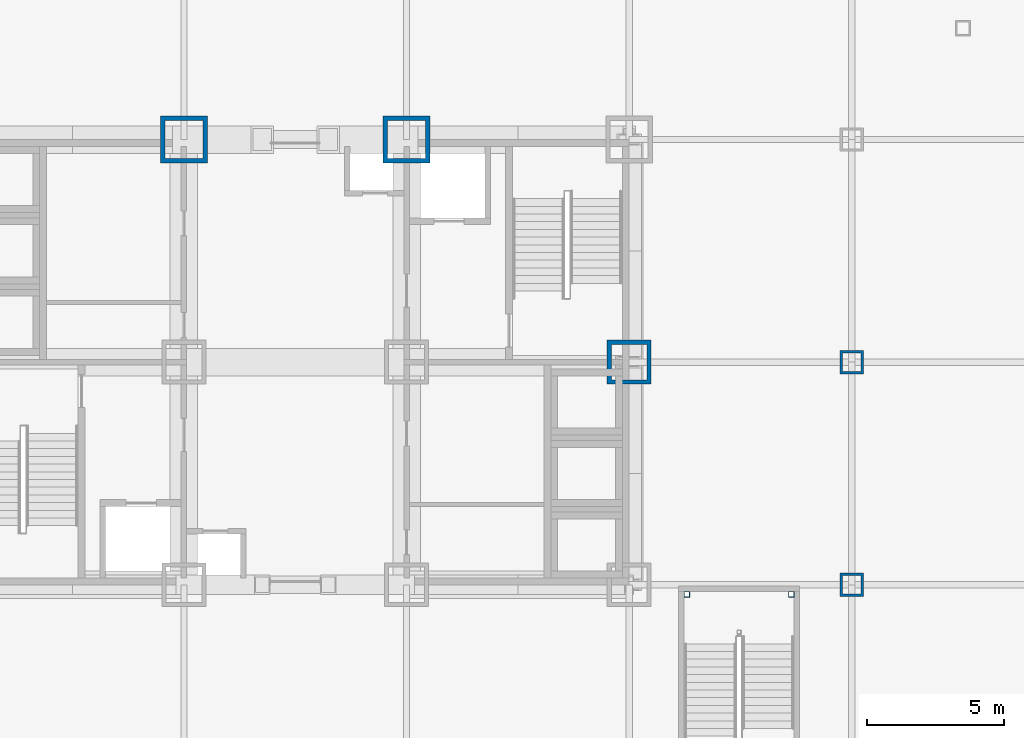
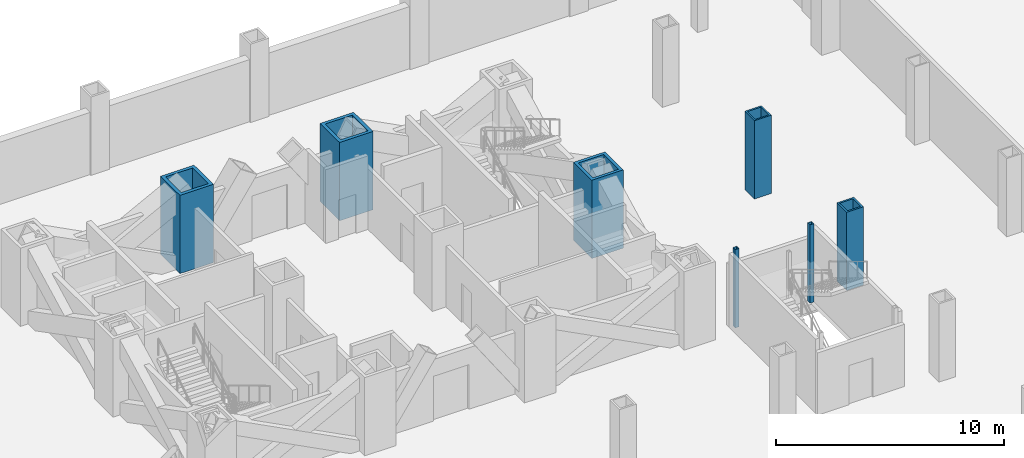
# One storey, part 7 of 14: 7 columns.
"""IFC4 building model written with IfcOpenShell, lengths in metres."""

from ifc_helpers import new_model, si_unit, direction, frame, origin, origin_2d, place, context, subcontext, project, spatial, hollow_rectangle, extrude, material, material_profile, profile_set, type_object, element, save


model = new_model("IFC4")

# Units and contexts
model_context = context("Model", 3, precision=1e-05, world=origin(), true_north=direction((0.0, 1.0)))
body_context = subcontext(model_context, "Body", "Model", "MODEL_VIEW")
ifc_project = project(units=[si_unit("LENGTHUNIT", "METRE"), si_unit("AREAUNIT", "SQUARE_METRE"), si_unit("VOLUMEUNIT", "CUBIC_METRE"), si_unit("PLANEANGLEUNIT", "RADIAN"), si_unit("MASSUNIT", "GRAM", prefix="KILO")], contexts=[model_context])

# Site, building, storey
site_placement = place(None, origin())
site = spatial("IfcSite", under=ifc_project, at=site_placement, CompositionType="ELEMENT")
building_placement = place(site_placement, origin())
building = spatial("IfcBuilding", under=site, at=building_placement, Name="Kopane Lantern Tower", CompositionType="ELEMENT")
storey_placement = place(building_placement, frame((0.0, 0.0, -4.199951171875)))
storey = spatial("IfcBuildingStorey", under=building, at=storey_placement, Name="L-01", CompositionType="ELEMENT", Elevation=-4.199951171875)

# Columns
ifc_material_1 = material(Name="Steel S355JR", Category="steel")
ifc_material_profile_1 = material_profile(ifc_material_1, hollow_rectangle(XDim=1.60009765625, YDim=1.60009765625, WallThickness=0.14990234375, at=origin_2d()), Name="BOX 1600x1600x150")
ifc_profile_set_1 = profile_set([ifc_material_profile_1], Name="Steel S355JR")
column_type_1 = type_object("IfcColumnType", Name="COLUMN BOX 1600x1600x150", PredefinedType="COLUMN", material=ifc_profile_set_1)
column_placement = place(storey_placement, frame((40.5, 32.39990234375, 0.0), z_axis=(0.0, 0.0, 1.0), x_axis=(1.0, 0.0, 0.0)))
element("IfcColumn", 1, at=column_placement, inside=storey, type_object=column_type_1, Name="Column 7/F L-01", PredefinedType="COLUMN", context=body_context, shape_type="SweptSolid", body=[
    extrude(hollow_rectangle(XDim=1.60009765625, YDim=1.60009765625, WallThickness=0.14990234375, at=origin_2d()), origin(), (0.0, 0.0, 1.0), 4.199951171875),
])
ifc_material_2 = material(Name="Steel S355JR", Category="steel")
ifc_material_profile_2 = material_profile(ifc_material_2, hollow_rectangle(XDim=1.699951171875, YDim=1.699951171875, WallThickness=0.159912109375, at=origin_2d()), Name="BOX 1700x1700x160")
ifc_profile_set_2 = profile_set([ifc_material_profile_2], Name="Steel S355JR")
column_type_2 = type_object("IfcColumnType", Name="COLUMN BOX 1700x1700x160", PredefinedType="COLUMN", material=ifc_profile_set_2)
for number, where, z_axis, x_axis, name in (
    (2, (24.300048828125, 40.5, 0.0), (0.0, 0.0, 1.0), (1.0, 0.0, 0.0), "Column 5/G L-01"),
    (3, (32.39990234375, 40.5, 0.0), (0.0, 0.0, 1.0), (1.0, 0.0, 0.0), "Column 6/G L-01"),
):
    element("IfcColumn", number, at=place(storey_placement, frame(where, z_axis=z_axis, x_axis=x_axis)), inside=storey, type_object=column_type_2, Name=name, PredefinedType="COLUMN", context=body_context, shape_type="SweptSolid", body=[
        extrude(hollow_rectangle(XDim=1.699951171875, YDim=1.699951171875, WallThickness=0.159912109375, at=origin_2d()), origin(), (0.0, 0.0, 1.0), 4.199951171875),
    ])
ifc_material_3 = material(Name="Steel S355JR", Category="steel")
ifc_material_profile_3 = material_profile(ifc_material_3, hollow_rectangle(XDim=0.85009765625, YDim=0.85009765625, WallThickness=0.0849609375, at=origin_2d()), Name="BOX 850x850x85")
ifc_profile_set_3 = profile_set([ifc_material_profile_3], Name="Steel S355JR")
column_type_3 = type_object("IfcColumnType", Name="COLUMN BOX 850x850x85", PredefinedType="COLUMN", material=ifc_profile_set_3)
for number, where, z_axis, x_axis, name in (
    (4, (48.60009765625, 24.300048828125, 0.0), (0.0, 0.0, 1.0), (1.0, 0.0, 0.0), "Column 8/E L-01"),
    (5, (48.60009765625, 32.39990234375, 0.0), (0.0, 0.0, 1.0), (1.0, 0.0, 0.0), "Column 8/F L-01"),
):
    element("IfcColumn", number, at=place(storey_placement, frame(where, z_axis=z_axis, x_axis=x_axis)), inside=storey, type_object=column_type_3, Name=name, PredefinedType="COLUMN", context=body_context, shape_type="SweptSolid", body=[
        extrude(hollow_rectangle(XDim=0.85009765625, YDim=0.85009765625, WallThickness=0.0849609375, at=origin_2d()), origin(), (0.0, 0.0, 1.0), 4.199951171875),
    ])
ifc_material_4 = material(Name="Steel S355JR", Category="steel")
ifc_material_profile_4 = material_profile(ifc_material_4, hollow_rectangle(XDim=0.199951171875, YDim=0.199951171875, WallThickness=0.011962890625, at=origin_2d()), Name="BOX 200x200x12")
ifc_profile_set_4 = profile_set([ifc_material_profile_4], Name="Steel S355JR")
column_type_4 = type_object("IfcColumnType", Name="STAIR POST BOX 200x200x12", PredefinedType="COLUMN", material=ifc_profile_set_4)
for number, where, z_axis, x_axis, name in (
    (6, (42.60009765625, 23.949951171875, 0.0), (0.0, 0.0, 1.0), (1.0, 0.0, 0.0), "Stair post ST4 NW L-01"),
    (7, (46.39990234375, 23.949951171875, 0.0), (0.0, 0.0, 1.0), (1.0, 0.0, 0.0), "Stair post ST4 NE L-01"),
):
    element("IfcColumn", number, at=place(storey_placement, frame(where, z_axis=z_axis, x_axis=x_axis)), inside=storey, type_object=column_type_4, Name=name, PredefinedType="COLUMN", context=body_context, shape_type="SweptSolid", body=[
        extrude(hollow_rectangle(XDim=0.199951171875, YDim=0.199951171875, WallThickness=0.011962890625, at=origin_2d()), origin(), (0.0, 0.0, 1.0), 4.199951171875),
    ])

save(model, "model.ifc")
